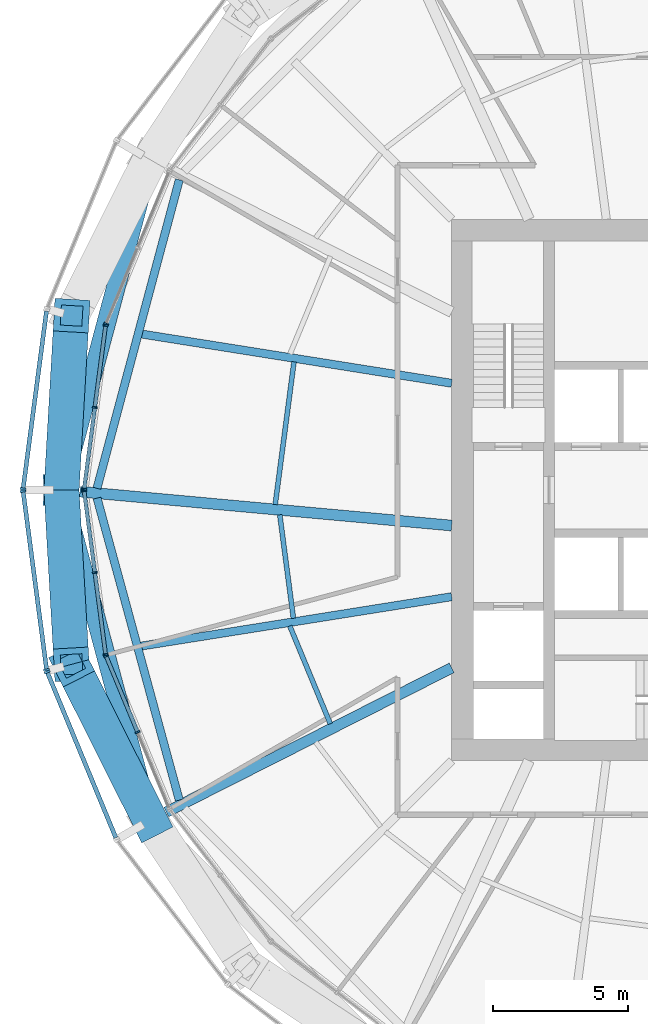
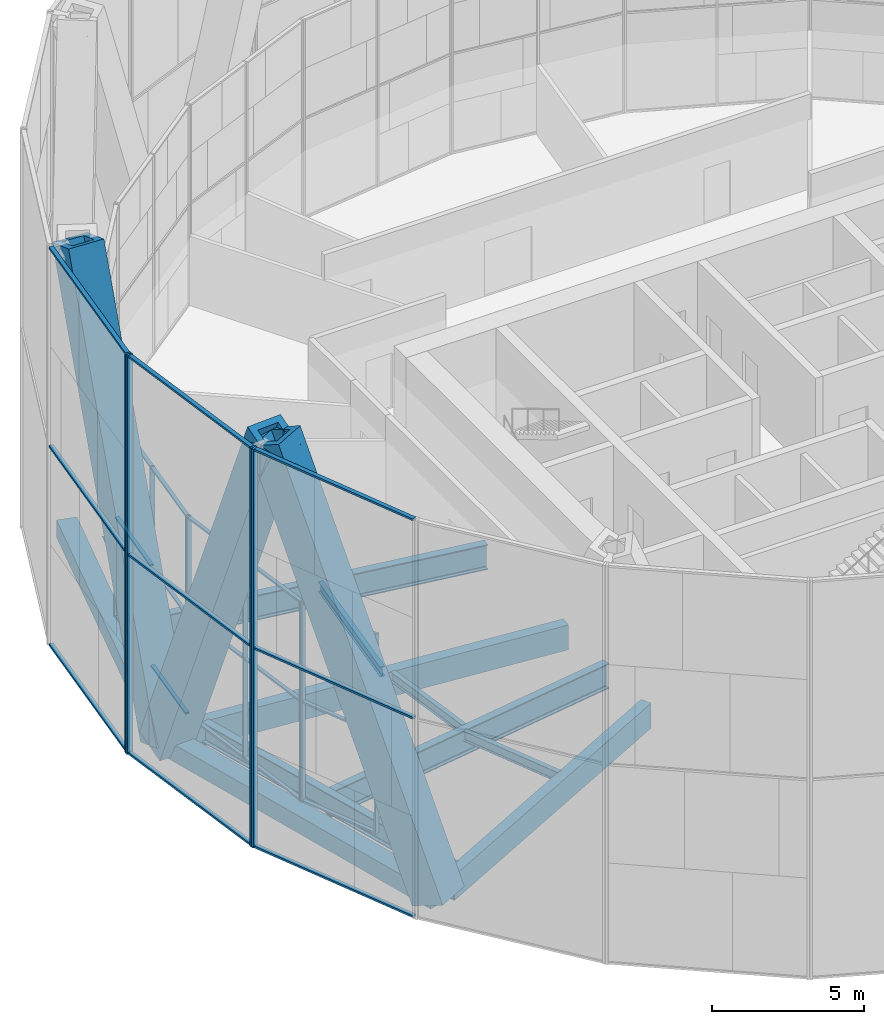
# One storey, part 3 of 22: 40 members, 11 beams, 7 elements without a shape of their own.
"""IFC4 building model written with IfcOpenShell, lengths in metres."""

from ifc_helpers import new_model, si_unit, direction, frame, origin, origin_2d, place, context, subcontext, project, spatial, rectangle, hollow_rectangle, i_section, extrude, material, material_profile, profile_set, type_object, element, aggregate, save


model = new_model("IFC4")

# Units and contexts
model_context = context("Model", 3, precision=1e-05, world=origin(), true_north=direction((0.0, 1.0)))
body_context = subcontext(model_context, "Body", "Model", "MODEL_VIEW")
ifc_project = project(units=[si_unit("LENGTHUNIT", "METRE"), si_unit("AREAUNIT", "SQUARE_METRE"), si_unit("VOLUMEUNIT", "CUBIC_METRE"), si_unit("PLANEANGLEUNIT", "RADIAN"), si_unit("MASSUNIT", "GRAM", prefix="KILO")], contexts=[model_context])

# Site, building, storey
site_placement = place(None, origin())
site = spatial("IfcSite", under=ifc_project, at=site_placement, CompositionType="ELEMENT")
building_placement = place(site_placement, origin())
building = spatial("IfcBuilding", under=site, at=building_placement, Name="Golbaran Civic Tower", CompositionType="ELEMENT")
storey_placement = place(building_placement, frame((0.0, 0.0, 53.0)))
storey = spatial("IfcBuildingStorey", under=building, at=storey_placement, Name="L12", CompositionType="ELEMENT", Elevation=53.0)

# Members
ifc_material_1 = material(Name="Steel S355", Category="steel")
ifc_material_profile_1 = material_profile(ifc_material_1, hollow_rectangle(XDim=1.300048828125, YDim=1.300048828125, WallThickness=0.25, at=origin_2d()), Name="BOX 1300x1300x250")
ifc_profile_set_1 = profile_set([ifc_material_profile_1], Name="Steel S355")
member_type_1 = type_object("IfcMemberType", Name="DIAGRID DIAGONAL BOX 1300x1300x250", PredefinedType="BRACE", material=ifc_profile_set_1)
for number, where, z_axis, x_axis, name in (
    (1, (-24.416015625, 0.0, -0.7099609375), (0.021622964428, -0.373420671031, 0.927410076426), (0.998327703448, 0.05780827387, 0.0), "Diagonal D02-06R L12-L16"),
    (2, (-24.416015625, 0.0, -0.7099609375), (0.021622964428, 0.373420671031, 0.927410076426), (-0.998327703448, 0.05780827387, 0.0), "Diagonal D02-06L L12-L16"),
):
    element("IfcMember", number, at=place(storey_placement, frame(where, z_axis=z_axis, x_axis=x_axis)), inside=storey, type_object=member_type_1, Name=name, PredefinedType="BRACE", context=body_context, shape_type="SweptSolid", body=[
        extrude(hollow_rectangle(XDim=1.300048828125, YDim=1.300048828125, WallThickness=0.25, at=origin_2d()), origin(), (0.0, 0.0, 1.0), 17.25244140625),
    ])
member_1_placement = place(storey_placement, frame((-21.144775390625, -12.2080078125, -0.7099609375), z_axis=(-0.167988782201, 0.334194514401, 0.927412419368), x_axis=(-0.893471758734, -0.449119378723, 0.0)))
element("IfcMember", 3, at=member_1_placement, inside=storey, type_object=member_type_1, Name="Diagonal D02-07L L12-L16", PredefinedType="BRACE", context=body_context, shape_type="SweptSolid", body=[
    extrude(hollow_rectangle(XDim=1.300048828125, YDim=1.300048828125, WallThickness=0.25, at=origin_2d()), origin(), (0.0, 0.0, 1.0), 17.252197265625),
])

# Beams
ifc_material_profile_2 = material_profile(ifc_material_1, hollow_rectangle(XDim=0.699951171875, YDim=0.699951171875, WallThickness=0.080078125, at=origin_2d()), Name="BOX 700x700x80")
ifc_profile_set_2 = profile_set([ifc_material_profile_2], Name="Steel S355")
beam_type_1 = type_object("IfcBeamType", Name="DIAGRID RING TIE BOX 700x700x80", PredefinedType="BEAM", material=ifc_profile_set_2)
for number, where, z_axis, x_axis, name in (
    (4, (-21.144775390625, 12.2080078125, -0.7099609375), (-0.258827490311, -0.965923563363, 0.0), (0.965923563363, -0.258827490311, 0.0), "Ring tie 150.00 L12"),
    (5, (-24.416015625, 0.0, -0.7099609375), (0.258827490311, -0.965923563363, 0.0), (0.965923563363, 0.258827490311, 0.0), "Ring tie 180.00 L12"),
):
    element("IfcBeam", number, at=place(storey_placement, frame(where, z_axis=z_axis, x_axis=x_axis)), inside=storey, type_object=beam_type_1, Name=name, PredefinedType="BEAM", context=body_context, shape_type="SweptSolid", body=[
        extrude(hollow_rectangle(XDim=0.699951171875, YDim=0.699951171875, WallThickness=0.080078125, at=origin_2d()), origin(), (0.0, 0.0, 1.0), 12.638671875),
    ])
ifc_material_profile_3 = material_profile(ifc_material_1, i_section(OverallWidth=0.300048828125, OverallDepth=0.800048828125, WebThickness=0.017578125, FlangeThickness=0.032958984375, FilletRadius=0.030029296875, at=origin_2d()), Name="HEB 800")
ifc_profile_set_3 = profile_set([ifc_material_profile_3], Name="Steel S355")
beam_type_2 = type_object("IfcBeamType", Name="EDGE BEAM HEB 800", PredefinedType="BEAM", material=ifc_profile_set_3)
beam_1_placement = place(storey_placement, frame((-20.063720703125, 11.45947265625, -0.60009765625), z_axis=(-0.257877749749, -0.966177554171, 0.0), x_axis=(0.966177554171, -0.257877749749, 0.0)))
element("IfcBeam", 6, at=beam_1_placement, inside=storey, type_object=beam_type_2, Name="Edge beam 150.00 L12", PredefinedType="BEAM", context=body_context, shape_type="SweptSolid", body=[
    extrude(i_section(OverallWidth=0.300048828125, OverallDepth=0.800048828125, WebThickness=0.017578125, FlangeThickness=0.032958984375, FilletRadius=0.030029296875, at=origin_2d()), origin(), (0.0, 0.0, 1.0), 11.797119140625),
])
beam_2_placement = place(storey_placement, frame((-23.1025390625, -0.300537109375, -0.60009765625), z_axis=(0.262683340783, -0.964882097707, 0.0), x_axis=(0.964882097707, 0.262683340783, 0.0)))
element("IfcBeam", 7, at=beam_2_placement, inside=storey, type_object=beam_type_2, Name="Edge beam 180.00 L12", PredefinedType="BEAM", context=body_context, shape_type="SweptSolid", body=[
    extrude(i_section(OverallWidth=0.300048828125, OverallDepth=0.800048828125, WebThickness=0.017578125, FlangeThickness=0.032958984375, FilletRadius=0.030029296875, at=origin_2d()), origin(), (0.0, 0.0, 1.0), 11.565673828125),
])
ifc_material_profile_4 = material_profile(ifc_material_1, i_section(OverallWidth=0.179931640625, OverallDepth=0.39990234375, WebThickness=0.008544921875, FlangeThickness=0.013427734375, FilletRadius=0.02099609375, at=origin_2d()), Name="IPE 400")
ifc_profile_set_4 = profile_set([ifc_material_profile_4], Name="Steel S355")
beam_type_3 = type_object("IfcBeamType", Name="FLOOR INFILL BEAM IPE 400", PredefinedType="BEAM", material=ifc_profile_set_4)
beam_3_placement = place(storey_placement, frame((-15.825439453125, 4.736572265625, -0.39990234375), z_axis=(-0.130486557612, -0.991450078563, 0.0), x_axis=(0.991450078563, -0.130486557612, 0.0)))
element("IfcBeam", 8, at=beam_3_placement, inside=storey, type_object=beam_type_3, Name="Infill beam 172.50 L12", PredefinedType="BEAM", context=body_context, shape_type="SweptSolid", body=[
    extrude(i_section(OverallWidth=0.179931640625, OverallDepth=0.39990234375, WebThickness=0.008544921875, FlangeThickness=0.013427734375, FilletRadius=0.02099609375, at=origin_2d()), origin(), (0.0, 0.0, 1.0), 5.321044921875),
])
beam_4_placement = place(storey_placement, frame((-16.35107421875, -0.916015625, -0.39990234375), z_axis=(0.130526525745, -0.991444817464, 0.0), x_axis=(0.991444817464, 0.130526525745, 0.0)))
element("IfcBeam", 9, at=beam_4_placement, inside=storey, type_object=beam_type_3, Name="Infill beam 187.50 L12", PredefinedType="BEAM", context=body_context, shape_type="SweptSolid", body=[
    extrude(i_section(OverallWidth=0.179931640625, OverallDepth=0.39990234375, WebThickness=0.008544921875, FlangeThickness=0.013427734375, FilletRadius=0.02099609375, at=origin_2d()), origin(), (0.0, 0.0, 1.0), 3.858642578125),
])
beam_5_placement = place(storey_placement, frame((-15.980712890625, -5.026123046875, -0.39990234375), z_axis=(0.382690071798, -0.92387678234, 0.0), x_axis=(0.92387678234, 0.382690071798, 0.0)))
element("IfcBeam", 10, at=beam_5_placement, inside=storey, type_object=beam_type_3, Name="Infill beam 202.50 L12", PredefinedType="BEAM", context=body_context, shape_type="SweptSolid", body=[
    extrude(i_section(OverallWidth=0.179931640625, OverallDepth=0.39990234375, WebThickness=0.008544921875, FlangeThickness=0.013427734375, FilletRadius=0.02099609375, at=origin_2d()), origin(), (0.0, 0.0, 1.0), 3.909423828125),
])

# Curtain wall, member
ifc_material_2 = material(Name="Aluminium and glass", Category="aluminium")
curtain_wall_type_1 = type_object("IfcCurtainWallType", Name="INNER SKIN CURTAIN WALL", PredefinedType="NOTDEFINED", material=ifc_material_2)
curtain_wall_1_placement = place(storey_placement, origin())
curtain_wall_1 = element("IfcCurtainWall", 11, at=curtain_wall_1_placement, inside=storey, type_object=curtain_wall_type_1, Name="Inner skin L12 facet 11 CW1", ObjectType="INNER SKIN", PredefinedType="USERDEFINED")
ifc_material_3 = material(Name="Aluminium", Category="aluminium")
ifc_material_profile_5 = material_profile(ifc_material_3, rectangle(XDim=0.179931640625, YDim=0.06494140625, at=origin_2d()), Name="INNER SKIN CURTAIN WALL MULLION")
ifc_profile_set_5 = profile_set([ifc_material_profile_5], Name="Aluminium")
member_type_2 = type_object("IfcMemberType", Name="INNER SKIN CURTAIN WALL MULLION", PredefinedType="MULLION", material=ifc_profile_set_5)
member_2_placement = place(storey_placement, frame((-22.76904296875, 6.13427734375, 0.0), z_axis=(0.0, 0.0, 1.0), x_axis=(0.923879532491, -0.382683432413, 0.0)))
member_2 = element("IfcMember", 12, at=member_2_placement, type_object=member_type_2, Name="CW1 mullion 3", PredefinedType="MULLION", context=body_context, shape_type="SweptSolid", body=[
    extrude(rectangle(XDim=0.179931640625, YDim=0.06494140625, at=origin_2d()), origin(), (0.0, 0.0, 1.0), 8.0),
])
aggregate(curtain_wall_1, [member_2])

# Curtain wall, members
curtain_wall_2_placement = place(storey_placement, origin())
curtain_wall_2 = element("IfcCurtainWall", 13, at=curtain_wall_2_placement, inside=storey, type_object=curtain_wall_type_1, Name="Inner skin L12 facet 12 CW1", ObjectType="INNER SKIN", PredefinedType="USERDEFINED")
member_3_placement = place(storey_placement, frame((-22.78564453125, 6.072021484375, 0.0), z_axis=(0.0, 0.0, 1.0), x_axis=(0.991444861374, -0.13052619222, 0.0)))
member_3 = element("IfcMember", 14, at=member_3_placement, type_object=member_type_2, Name="CW1 mullion 1", PredefinedType="MULLION", context=body_context, shape_type="SweptSolid", body=[
    extrude(rectangle(XDim=0.179931640625, YDim=0.06494140625, at=origin_2d()), origin(), (0.0, 0.0, 1.0), 8.0),
])
member_4_placement = place(storey_placement, frame((-23.18310546875, 3.052001953125, 0.0), z_axis=(0.0, 0.0, 1.0), x_axis=(0.991444861374, -0.13052619222, 0.0)))
member_4 = element("IfcMember", 15, at=member_4_placement, type_object=member_type_2, Name="CW1 mullion 2", PredefinedType="MULLION", context=body_context, shape_type="SweptSolid", body=[
    extrude(rectangle(XDim=0.179931640625, YDim=0.06494140625, at=origin_2d()), origin(), (0.0, 0.0, 1.0), 8.0),
])
member_5_placement = place(storey_placement, frame((-23.580810546875, 0.0322265625, 0.0), z_axis=(0.0, 0.0, 1.0), x_axis=(0.991444861374, -0.13052619222, 0.0)))
member_5 = element("IfcMember", 16, at=member_5_placement, type_object=member_type_2, Name="CW1 mullion 3", PredefinedType="MULLION", context=body_context, shape_type="SweptSolid", body=[
    extrude(rectangle(XDim=0.179931640625, YDim=0.06494140625, at=origin_2d()), origin(), (0.0, 0.0, 1.0), 8.0),
])

curtain_wall_3_placement = place(storey_placement, origin())
curtain_wall_3 = element("IfcCurtainWall", 17, at=curtain_wall_3_placement, inside=storey, type_object=curtain_wall_type_1, Name="Inner skin L12 facet 13 CW1", ObjectType="INNER SKIN", PredefinedType="USERDEFINED")
member_6_placement = place(storey_placement, frame((-23.580810546875, -0.0322265625, 0.0), z_axis=(0.0, 0.0, 1.0), x_axis=(0.991444861374, 0.13052619222, 0.0)))
member_6 = element("IfcMember", 18, at=member_6_placement, type_object=member_type_2, Name="CW1 mullion 1", PredefinedType="MULLION", context=body_context, shape_type="SweptSolid", body=[
    extrude(rectangle(XDim=0.179931640625, YDim=0.06494140625, at=origin_2d()), origin(), (0.0, 0.0, 1.0), 8.0),
])
member_7_placement = place(storey_placement, frame((-23.18310546875, -3.052001953125, 0.0), z_axis=(0.0, 0.0, 1.0), x_axis=(0.991444861374, 0.13052619222, 0.0)))
member_7 = element("IfcMember", 19, at=member_7_placement, type_object=member_type_2, Name="CW1 mullion 2", PredefinedType="MULLION", context=body_context, shape_type="SweptSolid", body=[
    extrude(rectangle(XDim=0.179931640625, YDim=0.06494140625, at=origin_2d()), origin(), (0.0, 0.0, 1.0), 8.0),
])
member_8_placement = place(storey_placement, frame((-22.78564453125, -6.072021484375, 0.0), z_axis=(0.0, 0.0, 1.0), x_axis=(0.991444861374, 0.13052619222, 0.0)))
member_8 = element("IfcMember", 20, at=member_8_placement, type_object=member_type_2, Name="CW1 mullion 3", PredefinedType="MULLION", context=body_context, shape_type="SweptSolid", body=[
    extrude(rectangle(XDim=0.179931640625, YDim=0.06494140625, at=origin_2d()), origin(), (0.0, 0.0, 1.0), 8.0),
])

curtain_wall_4_placement = place(storey_placement, origin())
curtain_wall_4 = element("IfcCurtainWall", 21, at=curtain_wall_4_placement, inside=storey, type_object=curtain_wall_type_1, Name="Inner skin L12 facet 14 CW1", ObjectType="INNER SKIN", PredefinedType="USERDEFINED")
member_9_placement = place(storey_placement, frame((-22.76904296875, -6.13427734375, 0.0), z_axis=(0.0, 0.0, 1.0), x_axis=(0.923879532491, 0.382683432413, 0.0)))
member_9 = element("IfcMember", 22, at=member_9_placement, type_object=member_type_2, Name="CW1 mullion 1", PredefinedType="MULLION", context=body_context, shape_type="SweptSolid", body=[
    extrude(rectangle(XDim=0.179931640625, YDim=0.06494140625, at=origin_2d()), origin(), (0.0, 0.0, 1.0), 8.0),
])
member_10_placement = place(storey_placement, frame((-21.603271484375, -8.948486328125, 0.0), z_axis=(0.0, 0.0, 1.0), x_axis=(0.923879532491, 0.382683432413, 0.0)))
member_10 = element("IfcMember", 23, at=member_10_placement, type_object=member_type_2, Name="CW1 mullion 2", PredefinedType="MULLION", context=body_context, shape_type="SweptSolid", body=[
    extrude(rectangle(XDim=0.179931640625, YDim=0.06494140625, at=origin_2d()), origin(), (0.0, 0.0, 1.0), 8.0),
])

# Member
ifc_material_profile_6 = material_profile(ifc_material_3, rectangle(XDim=0.139892578125, YDim=0.06494140625, at=origin_2d()), Name="INNER SKIN CURTAIN WALL TRANSOM")
ifc_profile_set_6 = profile_set([ifc_material_profile_6], Name="Aluminium")
member_type_3 = type_object("IfcMemberType", Name="INNER SKIN CURTAIN WALL TRANSOM", PredefinedType="USERDEFINED", material=ifc_profile_set_6)
member_11_placement = place(storey_placement, frame((-22.789794921875, 6.039794921875, 0.032470703125), z_axis=(-0.130543489093, -0.991442584044, 0.0), x_axis=(0.991442584044, -0.130543489093, 0.0)))
member_11 = element("IfcMember", 24, at=member_11_placement, type_object=member_type_3, Name="CW1 transom 1.1", ObjectType="TRANSOM", PredefinedType="USERDEFINED", context=body_context, shape_type="SweptSolid", body=[
    extrude(rectangle(XDim=0.139892578125, YDim=0.06494140625, at=origin_2d()), origin(), (0.0, 0.0, 1.0), 2.98095703125),
])

member_12_placement = place(storey_placement, frame((-22.789794921875, 6.039794921875, 4.0), z_axis=(-0.130543489093, -0.991442584044, 0.0), x_axis=(0.991442584044, -0.130543489093, 0.0)))
member_12 = element("IfcMember", 25, at=member_12_placement, type_object=member_type_3, Name="CW1 transom 1.2", ObjectType="TRANSOM", PredefinedType="USERDEFINED", context=body_context, shape_type="SweptSolid", body=[
    extrude(rectangle(XDim=0.139892578125, YDim=0.06494140625, at=origin_2d()), origin(), (0.0, 0.0, 1.0), 2.98095703125),
])

member_13_placement = place(storey_placement, frame((-22.789794921875, 6.039794921875, 7.967529296875), z_axis=(-0.130543489093, -0.991442584044, 0.0), x_axis=(0.991442584044, -0.130543489093, 0.0)))
member_13 = element("IfcMember", 26, at=member_13_placement, type_object=member_type_3, Name="CW1 transom 1.3", ObjectType="TRANSOM", PredefinedType="USERDEFINED", context=body_context, shape_type="SweptSolid", body=[
    extrude(rectangle(XDim=0.139892578125, YDim=0.06494140625, at=origin_2d()), origin(), (0.0, 0.0, 1.0), 2.98095703125),
])

member_14_placement = place(storey_placement, frame((-23.1875, 3.02001953125, 0.032470703125), z_axis=(-0.130462986662, -0.991453180494, 0.0), x_axis=(0.991453180494, -0.130462986662, 0.0)))
member_14 = element("IfcMember", 27, at=member_14_placement, type_object=member_type_3, Name="CW1 transom 2.1", ObjectType="TRANSOM", PredefinedType="USERDEFINED", context=body_context, shape_type="SweptSolid", body=[
    extrude(rectangle(XDim=0.139892578125, YDim=0.06494140625, at=origin_2d()), origin(), (0.0, 0.0, 1.0), 2.98095703125),
])

member_15_placement = place(storey_placement, frame((-23.1875, 3.02001953125, 4.0), z_axis=(-0.130462986662, -0.991453180494, 0.0), x_axis=(0.991453180494, -0.130462986662, 0.0)))
member_15 = element("IfcMember", 28, at=member_15_placement, type_object=member_type_3, Name="CW1 transom 2.2", ObjectType="TRANSOM", PredefinedType="USERDEFINED", context=body_context, shape_type="SweptSolid", body=[
    extrude(rectangle(XDim=0.139892578125, YDim=0.06494140625, at=origin_2d()), origin(), (0.0, 0.0, 1.0), 2.98095703125),
])

member_16_placement = place(storey_placement, frame((-23.1875, 3.02001953125, 7.967529296875), z_axis=(-0.130462986662, -0.991453180494, 0.0), x_axis=(0.991453180494, -0.130462986662, 0.0)))
member_16 = element("IfcMember", 29, at=member_16_placement, type_object=member_type_3, Name="CW1 transom 2.3", ObjectType="TRANSOM", PredefinedType="USERDEFINED", context=body_context, shape_type="SweptSolid", body=[
    extrude(rectangle(XDim=0.139892578125, YDim=0.06494140625, at=origin_2d()), origin(), (0.0, 0.0, 1.0), 2.98095703125),
])

aggregate(curtain_wall_2, [member_3, member_4, member_5, member_11, member_12, member_13, member_14, member_15, member_16])

member_17_placement = place(storey_placement, frame((-23.576416015625, -0.064453125, 0.032470703125), z_axis=(0.130462986662, -0.991453180494, 0.0), x_axis=(0.991453180494, 0.130462986662, 0.0)))
member_17 = element("IfcMember", 30, at=member_17_placement, type_object=member_type_3, Name="CW1 transom 1.1", ObjectType="TRANSOM", PredefinedType="USERDEFINED", context=body_context, shape_type="SweptSolid", body=[
    extrude(rectangle(XDim=0.139892578125, YDim=0.06494140625, at=origin_2d()), origin(), (0.0, 0.0, 1.0), 2.98095703125),
])

member_18_placement = place(storey_placement, frame((-23.576416015625, -0.064453125, 4.0), z_axis=(0.130462986662, -0.991453180494, 0.0), x_axis=(0.991453180494, 0.130462986662, 0.0)))
member_18 = element("IfcMember", 31, at=member_18_placement, type_object=member_type_3, Name="CW1 transom 1.2", ObjectType="TRANSOM", PredefinedType="USERDEFINED", context=body_context, shape_type="SweptSolid", body=[
    extrude(rectangle(XDim=0.139892578125, YDim=0.06494140625, at=origin_2d()), origin(), (0.0, 0.0, 1.0), 2.98095703125),
])

member_19_placement = place(storey_placement, frame((-23.576416015625, -0.064453125, 7.967529296875), z_axis=(0.130462986662, -0.991453180494, 0.0), x_axis=(0.991453180494, 0.130462986662, 0.0)))
member_19 = element("IfcMember", 32, at=member_19_placement, type_object=member_type_3, Name="CW1 transom 1.3", ObjectType="TRANSOM", PredefinedType="USERDEFINED", context=body_context, shape_type="SweptSolid", body=[
    extrude(rectangle(XDim=0.139892578125, YDim=0.06494140625, at=origin_2d()), origin(), (0.0, 0.0, 1.0), 2.98095703125),
])

member_20_placement = place(storey_placement, frame((-23.178955078125, -3.084228515625, 0.032470703125), z_axis=(0.130543489093, -0.991442584044, 0.0), x_axis=(0.991442584044, 0.130543489093, 0.0)))
member_20 = element("IfcMember", 33, at=member_20_placement, type_object=member_type_3, Name="CW1 transom 2.1", ObjectType="TRANSOM", PredefinedType="USERDEFINED", context=body_context, shape_type="SweptSolid", body=[
    extrude(rectangle(XDim=0.139892578125, YDim=0.06494140625, at=origin_2d()), origin(), (0.0, 0.0, 1.0), 2.98095703125),
])

member_21_placement = place(storey_placement, frame((-23.178955078125, -3.084228515625, 4.0), z_axis=(0.130543489093, -0.991442584044, 0.0), x_axis=(0.991442584044, 0.130543489093, 0.0)))
member_21 = element("IfcMember", 34, at=member_21_placement, type_object=member_type_3, Name="CW1 transom 2.2", ObjectType="TRANSOM", PredefinedType="USERDEFINED", context=body_context, shape_type="SweptSolid", body=[
    extrude(rectangle(XDim=0.139892578125, YDim=0.06494140625, at=origin_2d()), origin(), (0.0, 0.0, 1.0), 2.98095703125),
])

member_22_placement = place(storey_placement, frame((-23.178955078125, -3.084228515625, 7.967529296875), z_axis=(0.130543489093, -0.991442584044, 0.0), x_axis=(0.991442584044, 0.130543489093, 0.0)))
member_22 = element("IfcMember", 35, at=member_22_placement, type_object=member_type_3, Name="CW1 transom 2.3", ObjectType="TRANSOM", PredefinedType="USERDEFINED", context=body_context, shape_type="SweptSolid", body=[
    extrude(rectangle(XDim=0.139892578125, YDim=0.06494140625, at=origin_2d()), origin(), (0.0, 0.0, 1.0), 2.98095703125),
])

aggregate(curtain_wall_3, [member_6, member_7, member_8, member_17, member_18, member_19, member_20, member_21, member_22])

member_23_placement = place(storey_placement, frame((-22.756591796875, -6.164306640625, 0.032470703125), z_axis=(0.382701383548, -0.923872096684, 0.0), x_axis=(0.923872096684, 0.382701383548, 0.0)))
member_23 = element("IfcMember", 36, at=member_23_placement, type_object=member_type_3, Name="CW1 transom 1.1", ObjectType="TRANSOM", PredefinedType="USERDEFINED", context=body_context, shape_type="SweptSolid", body=[
    extrude(rectangle(XDim=0.139892578125, YDim=0.06494140625, at=origin_2d()), origin(), (0.0, 0.0, 1.0), 2.981201171875),
])

member_24_placement = place(storey_placement, frame((-22.756591796875, -6.164306640625, 4.0), z_axis=(0.382701383548, -0.923872096684, 0.0), x_axis=(0.923872096684, 0.382701383548, 0.0)))
member_24 = element("IfcMember", 37, at=member_24_placement, type_object=member_type_3, Name="CW1 transom 1.2", ObjectType="TRANSOM", PredefinedType="USERDEFINED", context=body_context, shape_type="SweptSolid", body=[
    extrude(rectangle(XDim=0.139892578125, YDim=0.06494140625, at=origin_2d()), origin(), (0.0, 0.0, 1.0), 2.981201171875),
])

member_25_placement = place(storey_placement, frame((-22.756591796875, -6.164306640625, 7.967529296875), z_axis=(0.382701383548, -0.923872096684, 0.0), x_axis=(0.923872096684, 0.382701383548, 0.0)))
member_25 = element("IfcMember", 38, at=member_25_placement, type_object=member_type_3, Name="CW1 transom 1.3", ObjectType="TRANSOM", PredefinedType="USERDEFINED", context=body_context, shape_type="SweptSolid", body=[
    extrude(rectangle(XDim=0.139892578125, YDim=0.06494140625, at=origin_2d()), origin(), (0.0, 0.0, 1.0), 2.981201171875),
])

aggregate(curtain_wall_4, [member_9, member_10, member_23, member_24, member_25])

# Curtain wall, member
curtain_wall_type_2 = type_object("IfcCurtainWallType", Name="OUTER SKIN TERRACOTTA SCREEN", PredefinedType="NOTDEFINED", material=ifc_material_2)
curtain_wall_5_placement = place(storey_placement, origin())
curtain_wall_5 = element("IfcCurtainWall", 39, at=curtain_wall_5_placement, inside=storey, type_object=curtain_wall_type_2, Name="Outer skin L12 facet 12 CW3", ObjectType="OUTER SKIN", PredefinedType="USERDEFINED")
ifc_material_profile_7 = material_profile(ifc_material_3, rectangle(XDim=0.219970703125, YDim=0.080078125, at=origin_2d()), Name="OUTER SKIN TERRACOTTA SCREEN MULLION")
ifc_profile_set_7 = profile_set([ifc_material_profile_7], Name="Aluminium")
member_type_4 = type_object("IfcMemberType", Name="OUTER SKIN TERRACOTTA SCREEN MULLION", PredefinedType="MULLION", material=ifc_profile_set_7)
member_26_placement = place(storey_placement, frame((-25.835693359375, 0.03955078125, -0.7099609375), z_axis=(0.0, 0.0, 1.0), x_axis=(0.991444861369, -0.130526192255, 0.0)))
member_26 = element("IfcMember", 40, at=member_26_placement, type_object=member_type_4, Name="CW3 mullion 2", PredefinedType="MULLION", context=body_context, shape_type="SweptSolid", body=[
    extrude(rectangle(XDim=0.219970703125, YDim=0.080078125, at=origin_2d()), origin(), (0.0, 0.0, 1.0), 16.0),
])

# Curtain wall, members
curtain_wall_6_placement = place(storey_placement, origin())
curtain_wall_6 = element("IfcCurtainWall", 41, at=curtain_wall_6_placement, inside=storey, type_object=curtain_wall_type_2, Name="Outer skin L12 facet 13 CW3", ObjectType="OUTER SKIN", PredefinedType="USERDEFINED")
member_27_placement = place(storey_placement, frame((-25.835693359375, -0.03955078125, -0.7099609375), z_axis=(0.0, 0.0, 1.0), x_axis=(0.991444861369, 0.130526192255, 0.0)))
member_27 = element("IfcMember", 42, at=member_27_placement, type_object=member_type_4, Name="CW3 mullion 1", PredefinedType="MULLION", context=body_context, shape_type="SweptSolid", body=[
    extrude(rectangle(XDim=0.219970703125, YDim=0.080078125, at=origin_2d()), origin(), (0.0, 0.0, 1.0), 16.0),
])
member_28_placement = place(storey_placement, frame((-24.9658203125, -6.6484375, -0.7099609375), z_axis=(0.0, 0.0, 1.0), x_axis=(0.991444861369, 0.130526192255, 0.0)))
member_28 = element("IfcMember", 43, at=member_28_placement, type_object=member_type_4, Name="CW3 mullion 2", PredefinedType="MULLION", context=body_context, shape_type="SweptSolid", body=[
    extrude(rectangle(XDim=0.219970703125, YDim=0.080078125, at=origin_2d()), origin(), (0.0, 0.0, 1.0), 16.0),
])

# Curtain wall, member
curtain_wall_7_placement = place(storey_placement, origin())
curtain_wall_7 = element("IfcCurtainWall", 44, at=curtain_wall_7_placement, inside=storey, type_object=curtain_wall_type_2, Name="Outer skin L12 facet 14 CW3", ObjectType="OUTER SKIN", PredefinedType="USERDEFINED")
member_29_placement = place(storey_placement, frame((-24.945068359375, -6.72509765625, -0.7099609375), z_axis=(0.0, 0.0, 1.0), x_axis=(0.923879532518, 0.382683432349, 0.0)))
member_29 = element("IfcMember", 45, at=member_29_placement, type_object=member_type_4, Name="CW3 mullion 1", PredefinedType="MULLION", context=body_context, shape_type="SweptSolid", body=[
    extrude(rectangle(XDim=0.219970703125, YDim=0.080078125, at=origin_2d()), origin(), (0.0, 0.0, 1.0), 16.0),
])

# Member
ifc_material_profile_8 = material_profile(ifc_material_3, rectangle(XDim=0.159912109375, YDim=0.080078125, at=origin_2d()), Name="OUTER SKIN TERRACOTTA SCREEN TRANSOM")
ifc_profile_set_8 = profile_set([ifc_material_profile_8], Name="Aluminium")
member_type_5 = type_object("IfcMemberType", Name="OUTER SKIN TERRACOTTA SCREEN TRANSOM", PredefinedType="USERDEFINED", material=ifc_profile_set_8)
member_30_placement = place(storey_placement, frame((-24.970947265625, 6.60888671875, -0.669921875), z_axis=(-0.13052451429, -0.991445082276, 0.0), x_axis=(0.991445082276, -0.13052451429, 0.0)))
member_30 = element("IfcMember", 46, at=member_30_placement, type_object=member_type_5, Name="CW3 transom 1.1", ObjectType="TRANSOM", PredefinedType="USERDEFINED", context=body_context, shape_type="SweptSolid", body=[
    extrude(rectangle(XDim=0.159912109375, YDim=0.080078125, at=origin_2d()), origin(), (0.0, 0.0, 1.0), 6.5859375),
])

member_31_placement = place(storey_placement, frame((-24.970947265625, 6.60888671875, 7.2900390625), z_axis=(-0.13052451429, -0.991445082276, 0.0), x_axis=(0.991445082276, -0.13052451429, 0.0)))
member_31 = element("IfcMember", 47, at=member_31_placement, type_object=member_type_5, Name="CW3 transom 1.2", ObjectType="TRANSOM", PredefinedType="USERDEFINED", context=body_context, shape_type="SweptSolid", body=[
    extrude(rectangle(XDim=0.159912109375, YDim=0.080078125, at=origin_2d()), origin(), (0.0, 0.0, 1.0), 6.5859375),
])

member_32_placement = place(storey_placement, frame((-24.970947265625, 6.60888671875, 15.25), z_axis=(-0.13052451429, -0.991445082276, 0.0), x_axis=(0.991445082276, -0.13052451429, 0.0)))
member_32 = element("IfcMember", 48, at=member_32_placement, type_object=member_type_5, Name="CW3 transom 1.3", ObjectType="TRANSOM", PredefinedType="USERDEFINED", context=body_context, shape_type="SweptSolid", body=[
    extrude(rectangle(XDim=0.159912109375, YDim=0.080078125, at=origin_2d()), origin(), (0.0, 0.0, 1.0), 6.5859375),
])

aggregate(curtain_wall_5, [member_26, member_30, member_31, member_32])

member_33_placement = place(storey_placement, frame((-25.83056640625, -0.079345703125, -0.669921875), z_axis=(0.13052451429, -0.991445082276, 0.0), x_axis=(0.991445082276, 0.13052451429, 0.0)))
member_33 = element("IfcMember", 49, at=member_33_placement, type_object=member_type_5, Name="CW3 transom 1.1", ObjectType="TRANSOM", PredefinedType="USERDEFINED", context=body_context, shape_type="SweptSolid", body=[
    extrude(rectangle(XDim=0.159912109375, YDim=0.080078125, at=origin_2d()), origin(), (0.0, 0.0, 1.0), 6.5859375),
])

member_34_placement = place(storey_placement, frame((-25.83056640625, -0.079345703125, 7.2900390625), z_axis=(0.13052451429, -0.991445082276, 0.0), x_axis=(0.991445082276, 0.13052451429, 0.0)))
member_34 = element("IfcMember", 50, at=member_34_placement, type_object=member_type_5, Name="CW3 transom 1.2", ObjectType="TRANSOM", PredefinedType="USERDEFINED", context=body_context, shape_type="SweptSolid", body=[
    extrude(rectangle(XDim=0.159912109375, YDim=0.080078125, at=origin_2d()), origin(), (0.0, 0.0, 1.0), 6.5859375),
])

member_35_placement = place(storey_placement, frame((-25.83056640625, -0.079345703125, 15.25), z_axis=(0.13052451429, -0.991445082276, 0.0), x_axis=(0.991445082276, 0.13052451429, 0.0)))
member_35 = element("IfcMember", 51, at=member_35_placement, type_object=member_type_5, Name="CW3 transom 1.3", ObjectType="TRANSOM", PredefinedType="USERDEFINED", context=body_context, shape_type="SweptSolid", body=[
    extrude(rectangle(XDim=0.159912109375, YDim=0.080078125, at=origin_2d()), origin(), (0.0, 0.0, 1.0), 6.5859375),
])

aggregate(curtain_wall_6, [member_27, member_28, member_33, member_34, member_35])

member_36_placement = place(storey_placement, frame((-24.929931640625, -6.761962890625, -0.669921875), z_axis=(0.382669364313, -0.923885359564, 0.0), x_axis=(0.923885359564, 0.382669364313, 0.0)))
member_36 = element("IfcMember", 52, at=member_36_placement, type_object=member_type_5, Name="CW3 transom 1.1", ObjectType="TRANSOM", PredefinedType="USERDEFINED", context=body_context, shape_type="SweptSolid", body=[
    extrude(rectangle(XDim=0.159912109375, YDim=0.080078125, at=origin_2d()), origin(), (0.0, 0.0, 1.0), 6.5859375),
])

member_37_placement = place(storey_placement, frame((-24.929931640625, -6.761962890625, 7.2900390625), z_axis=(0.382669364313, -0.923885359564, 0.0), x_axis=(0.923885359564, 0.382669364313, 0.0)))
member_37 = element("IfcMember", 53, at=member_37_placement, type_object=member_type_5, Name="CW3 transom 1.2", ObjectType="TRANSOM", PredefinedType="USERDEFINED", context=body_context, shape_type="SweptSolid", body=[
    extrude(rectangle(XDim=0.159912109375, YDim=0.080078125, at=origin_2d()), origin(), (0.0, 0.0, 1.0), 6.5859375),
])

member_38_placement = place(storey_placement, frame((-24.929931640625, -6.761962890625, 15.25), z_axis=(0.382669364313, -0.923885359564, 0.0), x_axis=(0.923885359564, 0.382669364313, 0.0)))
member_38 = element("IfcMember", 54, at=member_38_placement, type_object=member_type_5, Name="CW3 transom 1.3", ObjectType="TRANSOM", PredefinedType="USERDEFINED", context=body_context, shape_type="SweptSolid", body=[
    extrude(rectangle(XDim=0.159912109375, YDim=0.080078125, at=origin_2d()), origin(), (0.0, 0.0, 1.0), 6.5859375),
])

aggregate(curtain_wall_7, [member_29, member_36, member_37, member_38])

# Beams
ifc_material_profile_9 = material_profile(ifc_material_1, hollow_rectangle(XDim=0.39990234375, YDim=1.0, WallThickness=0.0400390625, at=origin_2d()), Name="BOX 1000x400x40")
ifc_profile_set_9 = profile_set([ifc_material_profile_9], Name="Steel S355")
beam_type_4 = type_object("IfcBeamType", Name="RADIAL FLOOR BEAM BOX 1000x400x40", PredefinedType="BEAM", material=ifc_profile_set_9)
beam_6_placement = place(storey_placement, frame((-10.0, -1.314208984375, -0.7099609375), z_axis=(-0.995870829581, 0.09078155534, 0.0), x_axis=(-0.09078155534, -0.995870829581, 0.0)))
element("IfcBeam", 55, at=beam_6_placement, inside=storey, type_object=beam_type_4, Name="Radial beam 180.00 L12", PredefinedType="BEAM", context=body_context, shape_type="SweptSolid", body=[
    extrude(hollow_rectangle(XDim=0.39990234375, YDim=1.0, WallThickness=0.0400390625, at=origin_2d()), origin(), (0.0, 0.0, 1.0), 13.790771484375),
])
beam_7_placement = place(storey_placement, frame((-10.0, -6.571533203125, -0.7099609375), z_axis=(-0.892363206425, -0.451317967533, 0.0), x_axis=(0.451317967533, -0.892363206425, 0.0)))
element("IfcBeam", 56, at=beam_7_placement, inside=storey, type_object=beam_type_4, Name="Radial beam 210.00 L12", PredefinedType="BEAM", context=body_context, shape_type="SweptSolid", body=[
    extrude(hollow_rectangle(XDim=0.39990234375, YDim=1.0, WallThickness=0.0400390625, at=origin_2d()), origin(), (0.0, 0.0, 1.0), 11.811767578125),
])
ifc_material_profile_10 = material_profile(ifc_material_1, i_section(OverallWidth=0.300048828125, OverallDepth=1.0, WebThickness=0.01904296875, FlangeThickness=0.035888671875, FilletRadius=0.030029296875, at=origin_2d()), Name="HEB 1000")
ifc_profile_set_10 = profile_set([ifc_material_profile_10], Name="Steel S355")
beam_type_5 = type_object("IfcBeamType", Name="SECONDARY FLOOR BEAM HEB 1000", PredefinedType="BEAM", material=ifc_profile_set_10)
beam_8_placement = place(storey_placement, frame((-10.0, 3.94287109375, -0.7099609375), z_axis=(-0.987619709689, 0.156867170032, 0.0), x_axis=(-0.156867170032, -0.987619709689, 0.0)))
element("IfcBeam", 57, at=beam_8_placement, inside=storey, type_object=beam_type_5, Name="Secondary beam 165.00 L12", PredefinedType="BEAM", context=body_context, shape_type="SweptSolid", body=[
    extrude(i_section(OverallWidth=0.300048828125, OverallDepth=1.0, WebThickness=0.01904296875, FlangeThickness=0.035888671875, FilletRadius=0.030029296875, at=origin_2d()), origin(), (0.0, 0.0, 1.0), 11.72412109375),
])
beam_9_placement = place(storey_placement, frame((-10.0, -3.94287109375, -0.7099609375), z_axis=(-0.987578035596, -0.157129321288, 0.0), x_axis=(0.157129321288, -0.987578035596, 0.0)))
element("IfcBeam", 58, at=beam_9_placement, inside=storey, type_object=beam_type_5, Name="Secondary beam 195.00 L12", PredefinedType="BEAM", context=body_context, shape_type="SweptSolid", body=[
    extrude(i_section(OverallWidth=0.300048828125, OverallDepth=1.0, WebThickness=0.01904296875, FlangeThickness=0.035888671875, FilletRadius=0.030029296875, at=origin_2d()), origin(), (0.0, 0.0, 1.0), 11.754150390625),
])

save(model, "model.ifc")
